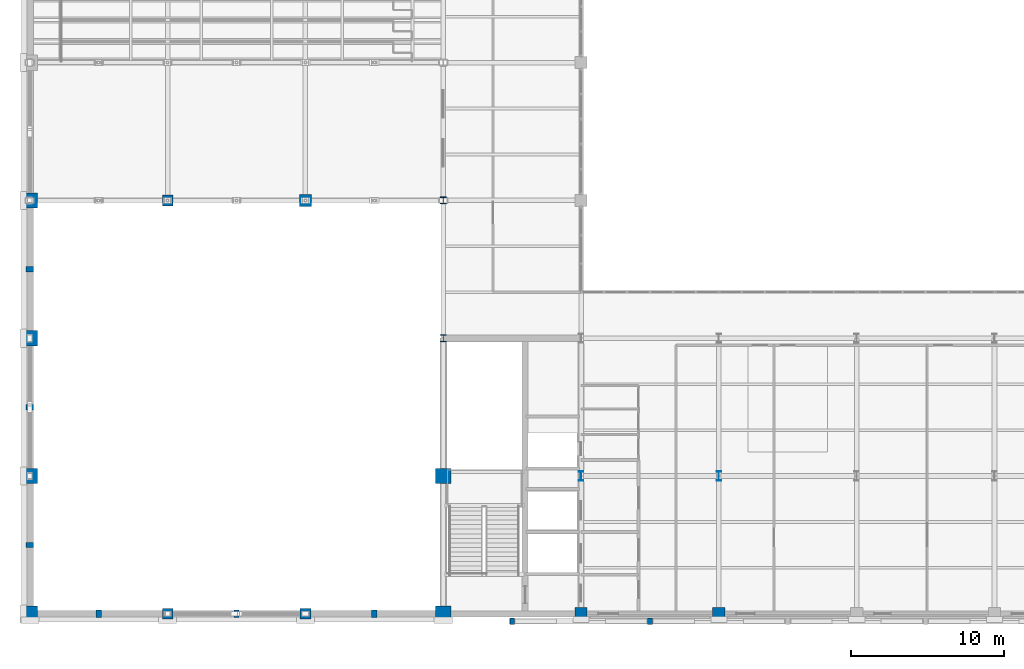
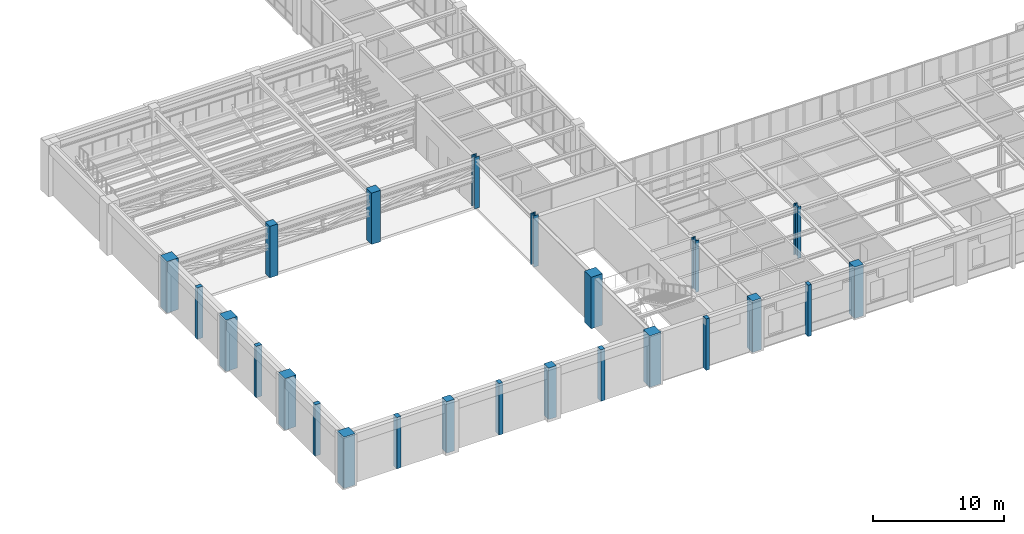
# One storey, part 1 of 92: 24 columns.
"""IFC4 building model written with IfcOpenShell, lengths in metres."""

from ifc_helpers import new_model, si_unit, direction, frame, origin, origin_2d, place, context, subcontext, project, spatial, rectangle, i_section, extrude, material, material_profile, profile_set, type_object, element, save


model = new_model("IFC4")

# Units and contexts
model_context = context("Model", 3, precision=1e-05, world=origin(), true_north=direction((0.0, 1.0)))
body_context = subcontext(model_context, "Body", "Model", "MODEL_VIEW")
ifc_project = project(units=[si_unit("LENGTHUNIT", "METRE"), si_unit("AREAUNIT", "SQUARE_METRE"), si_unit("VOLUMEUNIT", "CUBIC_METRE"), si_unit("PLANEANGLEUNIT", "RADIAN"), si_unit("MASSUNIT", "GRAM", prefix="KILO")], contexts=[model_context])

# Site, building, storey
site_placement = place(None, origin())
site = spatial("IfcSite", under=ifc_project, at=site_placement, CompositionType="ELEMENT")
building_placement = place(site_placement, origin())
building = spatial("IfcBuilding", under=site, at=building_placement, Name="Lykobir Media Centre", CompositionType="ELEMENT")
storey_placement = place(building_placement, frame((0.0, 0.0, 5.39990234375)))
storey = spatial("IfcBuildingStorey", under=building, at=storey_placement, Name="L01", CompositionType="ELEMENT", Elevation=5.39990234375)

# Columns
ifc_material_1 = material(Name="Honed Travertine Stone", Category="masonry")
ifc_material_profile_1 = material_profile(ifc_material_1, rectangle(XDim=0.300048828125, YDim=0.449951171875, at=origin_2d()), Name="RC PILASTER 450x300")
ifc_profile_set_1 = profile_set([ifc_material_profile_1], Name="Honed Travertine Stone")
column_type_1 = type_object("IfcColumnType", Name="PIL-450", PredefinedType="PILASTER", material=ifc_profile_set_1)
for number, where, z_axis, x_axis, name in (
    (1, (31.5, -0.47998046875, 0.0), (0.0, 0.0, 1.0), (1.0, 0.0, 0.0), "South Revak L01 colonnade pier 31.5"),
    (2, (40.5, -0.47998046875, 0.0), (0.0, 0.0, 1.0), (1.0, 0.0, 0.0), "South Revak L01 colonnade pier 40.5"),
):
    element("IfcColumn", number, at=place(storey_placement, frame(where, z_axis=z_axis, x_axis=x_axis)), inside=storey, type_object=column_type_1, Name=name, PredefinedType="PILASTER", context=body_context, shape_type="SweptSolid", body=[
        extrude(rectangle(XDim=0.300048828125, YDim=0.449951171875, at=origin_2d()), origin(), (0.0, 0.0, 1.0), 4.800048828125),
    ])
ifc_material_profile_2 = material_profile(ifc_material_1, rectangle(XDim=0.35009765625, YDim=0.5, at=origin_2d()), Name="RC PILASTER 500x350")
ifc_profile_set_2 = profile_set([ifc_material_profile_2], Name="Honed Travertine Stone")
column_type_2 = type_object("IfcColumnType", Name="PIL-500", PredefinedType="PILASTER", material=ifc_profile_set_2)
for number, where, z_axis, x_axis, name in (
    (3, (4.5, 0.0, 0.0), (0.0, 0.0, 1.0), (1.0, 0.0, 0.0), "V1 south pilaster L01 4.5"),
    (4, (13.5, 0.0, 0.0), (0.0, 0.0, 1.0), (1.0, 0.0, 0.0), "V1 south pilaster L01 13.5"),
    (5, (22.5, 0.0, 0.0), (0.0, 0.0, 1.0), (1.0, 0.0, 0.0), "V1 south pilaster L01 22.5"),
    (6, (0.0, 4.5, 0.0), (0.0, 0.0, 1.0), (0.0, 1.0, 0.0), "V1 west pilaster L01 4.5"),
    (7, (0.0, 13.5, 0.0), (0.0, 0.0, 1.0), (0.0, 1.0, 0.0), "V1 west pilaster L01 13.5"),
    (8, (0.0, 22.5, 0.0), (0.0, 0.0, 1.0), (0.0, 1.0, 0.0), "V1 west pilaster L01 22.5"),
):
    element("IfcColumn", number, at=place(storey_placement, frame(where, z_axis=z_axis, x_axis=x_axis)), inside=storey, type_object=column_type_2, Name=name, PredefinedType="PILASTER", context=body_context, shape_type="SweptSolid", body=[
        extrude(rectangle(XDim=0.35009765625, YDim=0.5, at=origin_2d()), origin(), (0.0, 0.0, 1.0), 4.800048828125),
    ])
ifc_material_2 = material(Name="Concrete C40/50", Category="concrete")
ifc_material_profile_3 = material_profile(ifc_material_2, rectangle(XDim=1.0, YDim=1.0, at=origin_2d()), Name="RC 1000x1000")
ifc_profile_set_3 = profile_set([ifc_material_profile_3], Name="Concrete C40/50")
column_type_3 = type_object("IfcColumnType", Name="RC-C1000", PredefinedType="COLUMN", material=ifc_profile_set_3)
column_1_placement = place(storey_placement, frame((27.0, 9.0, 0.0), z_axis=(0.0, 0.0, 1.0), x_axis=(1.0, 0.0, 0.0)))
element("IfcColumn", 9, at=column_1_placement, inside=storey, type_object=column_type_3, Name="Column COL-L01-0270-0090", PredefinedType="COLUMN", context=body_context, shape_type="SweptSolid", body=[
    extrude(rectangle(XDim=1.0, YDim=1.0, at=origin_2d()), origin(), (0.0, 0.0, 1.0), 4.800048828125),
])
ifc_material_profile_4 = material_profile(ifc_material_2, rectangle(XDim=1.0, YDim=1.0, at=origin_2d()), Name="RC 1000x1000")
ifc_profile_set_4 = profile_set([ifc_material_profile_4], Name="Concrete C40/50")
column_type_4 = type_object("IfcColumnType", Name="RC-C1000-E", PredefinedType="COLUMN", material=ifc_profile_set_4)
for number, where, z_axis, x_axis, name in (
    (10, (0.0, 0.0, 0.0), (0.0, 0.0, 1.0), (1.0, 0.0, 0.0), "Column COL-L01-0000-0000"),
    (11, (0.0, 9.0, 0.0), (0.0, 0.0, 1.0), (1.0, 0.0, 0.0), "Column COL-L01-0000-0090"),
    (12, (0.0, 18.0, 0.0), (0.0, 0.0, 1.0), (1.0, 0.0, 0.0), "Column COL-L01-0000-0180"),
    (13, (0.0, 27.0, 0.0), (0.0, 0.0, 1.0), (1.0, 0.0, 0.0), "Column COL-L01-0000-0270"),
    (14, (27.0, 0.0, 0.0), (0.0, 0.0, 1.0), (1.0, 0.0, 0.0), "Column COL-L01-0270-0000"),
):
    element("IfcColumn", number, at=place(storey_placement, frame(where, z_axis=z_axis, x_axis=x_axis)), inside=storey, type_object=column_type_4, Name=name, PredefinedType="COLUMN", context=body_context, shape_type="SweptSolid", body=[
        extrude(rectangle(XDim=1.0, YDim=1.0, at=origin_2d()), origin(), (0.0, 0.0, 1.0), 4.800048828125),
    ])
ifc_material_profile_5 = material_profile(ifc_material_2, rectangle(XDim=0.699951171875, YDim=0.699951171875, at=origin_2d()), Name="RC 700x700")
ifc_profile_set_5 = profile_set([ifc_material_profile_5], Name="Concrete C40/50")
column_type_5 = type_object("IfcColumnType", Name="RC-C700", PredefinedType="COLUMN", material=ifc_profile_set_5)
column_2_placement = place(storey_placement, frame((9.0, 27.0, 0.0), z_axis=(0.0, 0.0, 1.0), x_axis=(1.0, 0.0, 0.0)))
element("IfcColumn", 15, at=column_2_placement, inside=storey, type_object=column_type_5, Name="Column COL-L01-0090-0270", PredefinedType="COLUMN", context=body_context, shape_type="SweptSolid", body=[
    extrude(rectangle(XDim=0.699951171875, YDim=0.699951171875, at=origin_2d()), origin(), (0.0, 0.0, 1.0), 4.800048828125),
])
ifc_material_profile_6 = material_profile(ifc_material_2, rectangle(XDim=0.699951171875, YDim=0.699951171875, at=origin_2d()), Name="RC 700x700")
ifc_profile_set_6 = profile_set([ifc_material_profile_6], Name="Concrete C40/50")
column_type_6 = type_object("IfcColumnType", Name="RC-C700-E", PredefinedType="COLUMN", material=ifc_profile_set_6)
for number, where, z_axis, x_axis, name in (
    (16, (9.0, 0.0, 0.0), (0.0, 0.0, 1.0), (1.0, 0.0, 0.0), "Column COL-L01-0090-0000"),
    (17, (18.0, 0.0, 0.0), (0.0, 0.0, 1.0), (1.0, 0.0, 0.0), "Column COL-L01-0180-0000"),
):
    element("IfcColumn", number, at=place(storey_placement, frame(where, z_axis=z_axis, x_axis=x_axis)), inside=storey, type_object=column_type_6, Name=name, PredefinedType="COLUMN", context=body_context, shape_type="SweptSolid", body=[
        extrude(rectangle(XDim=0.699951171875, YDim=0.699951171875, at=origin_2d()), origin(), (0.0, 0.0, 1.0), 4.800048828125),
    ])
ifc_material_profile_7 = material_profile(ifc_material_2, rectangle(XDim=0.800048828125, YDim=0.800048828125, at=origin_2d()), Name="RC 800x800")
ifc_profile_set_7 = profile_set([ifc_material_profile_7], Name="Concrete C40/50")
column_type_7 = type_object("IfcColumnType", Name="RC-C800", PredefinedType="COLUMN", material=ifc_profile_set_7)
column_3_placement = place(storey_placement, frame((18.0, 27.0, 0.0), z_axis=(0.0, 0.0, 1.0), x_axis=(1.0, 0.0, 0.0)))
element("IfcColumn", 18, at=column_3_placement, inside=storey, type_object=column_type_7, Name="Column COL-L01-0180-0270", PredefinedType="COLUMN", context=body_context, shape_type="SweptSolid", body=[
    extrude(rectangle(XDim=0.800048828125, YDim=0.800048828125, at=origin_2d()), origin(), (0.0, 0.0, 1.0), 4.800048828125),
])
ifc_material_profile_8 = material_profile(ifc_material_2, rectangle(XDim=0.800048828125, YDim=0.800048828125, at=origin_2d()), Name="RC 800x800")
ifc_profile_set_8 = profile_set([ifc_material_profile_8], Name="Concrete C40/50")
column_type_8 = type_object("IfcColumnType", Name="RC-C800-E", PredefinedType="COLUMN", material=ifc_profile_set_8)
for number, where, z_axis, x_axis, name in (
    (19, (36.0, 0.0, 0.0), (0.0, 0.0, 1.0), (1.0, 0.0, 0.0), "Column COL-L01-0360-0000"),
    (20, (45.0, 0.0, 0.0), (0.0, 0.0, 1.0), (1.0, 0.0, 0.0), "Column COL-L01-0450-0000"),
):
    element("IfcColumn", number, at=place(storey_placement, frame(where, z_axis=z_axis, x_axis=x_axis)), inside=storey, type_object=column_type_8, Name=name, PredefinedType="COLUMN", context=body_context, shape_type="SweptSolid", body=[
        extrude(rectangle(XDim=0.800048828125, YDim=0.800048828125, at=origin_2d()), origin(), (0.0, 0.0, 1.0), 4.800048828125),
    ])
ifc_material_3 = material(Name="Steel S355", Category="steel")
ifc_material_profile_9 = material_profile(ifc_material_3, i_section(OverallWidth=0.416015625, OverallDepth=0.446044921875, WebThickness=0.02490234375, FlangeThickness=0.0400390625, at=origin_2d()), Name="HD 400x509")
ifc_profile_set_9 = profile_set([ifc_material_profile_9], Name="Steel S355")
column_type_9 = type_object("IfcColumnType", Name="SC-HD509", PredefinedType="COLUMN", material=ifc_profile_set_9)
for number, where, z_axis, x_axis, name in (
    (21, (27.0, 18.0, 0.0), (0.0, 0.0, 1.0), (1.0, 0.0, 0.0), "Column COL-L01-0270-0180"),
    (22, (27.0, 27.0, 0.0), (0.0, 0.0, 1.0), (1.0, 0.0, 0.0), "Column COL-L01-0270-0270"),
):
    element("IfcColumn", number, at=place(storey_placement, frame(where, z_axis=z_axis, x_axis=x_axis)), inside=storey, type_object=column_type_9, Name=name, PredefinedType="COLUMN", context=body_context, shape_type="SweptSolid", body=[
        extrude(i_section(OverallWidth=0.416015625, OverallDepth=0.446044921875, WebThickness=0.02490234375, FlangeThickness=0.0400390625, at=origin_2d()), origin(), (0.0, 0.0, 1.0), 4.800048828125),
    ])
ifc_material_profile_10 = material_profile(ifc_material_3, i_section(OverallWidth=0.300048828125, OverallDepth=0.60009765625, WebThickness=0.015380859375, FlangeThickness=0.030029296875, at=origin_2d()), Name="HEB 600")
ifc_profile_set_10 = profile_set([ifc_material_profile_10], Name="Steel S355")
column_type_10 = type_object("IfcColumnType", Name="SC-HEB600", PredefinedType="COLUMN", material=ifc_profile_set_10)
for number, where, z_axis, x_axis, name in (
    (23, (36.0, 9.0, 0.0), (0.0, 0.0, 1.0), (1.0, 0.0, 0.0), "Column COL-L01-0360-0090"),
    (24, (45.0, 9.0, 0.0), (0.0, 0.0, 1.0), (1.0, 0.0, 0.0), "Column COL-L01-0450-0090"),
):
    element("IfcColumn", number, at=place(storey_placement, frame(where, z_axis=z_axis, x_axis=x_axis)), inside=storey, type_object=column_type_10, Name=name, PredefinedType="COLUMN", context=body_context, shape_type="SweptSolid", body=[
        extrude(i_section(OverallWidth=0.300048828125, OverallDepth=0.60009765625, WebThickness=0.015380859375, FlangeThickness=0.030029296875, at=origin_2d()), origin(), (0.0, 0.0, 1.0), 4.800048828125),
    ])

save(model, "model.ifc")
